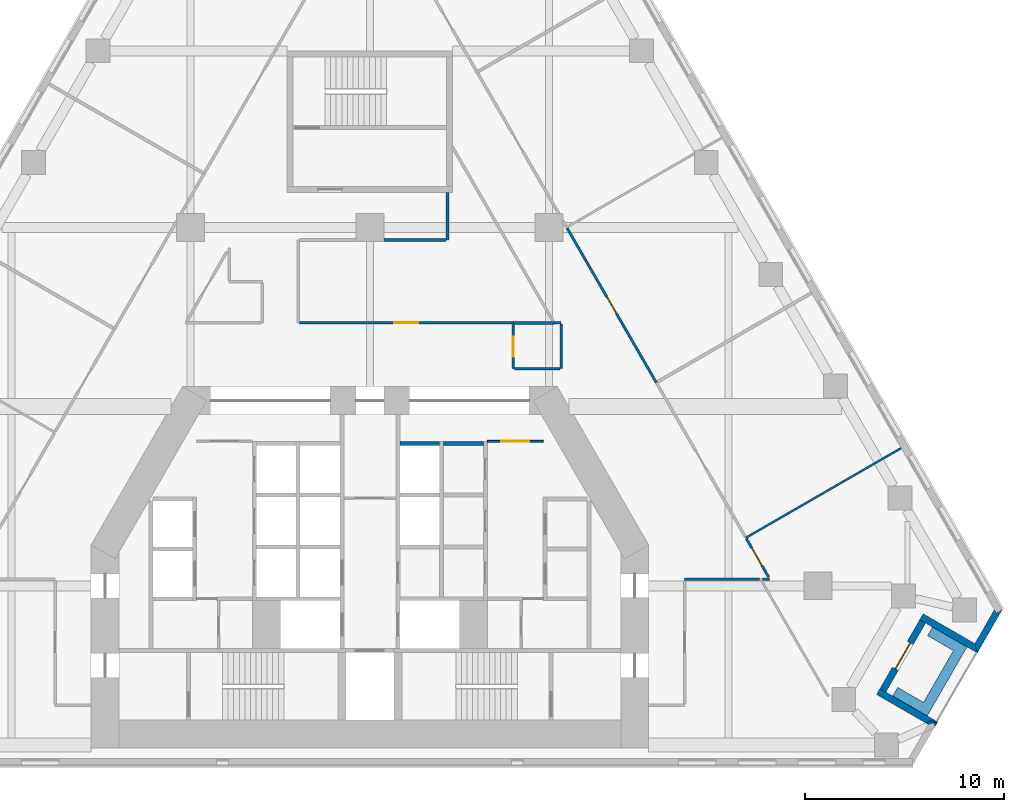
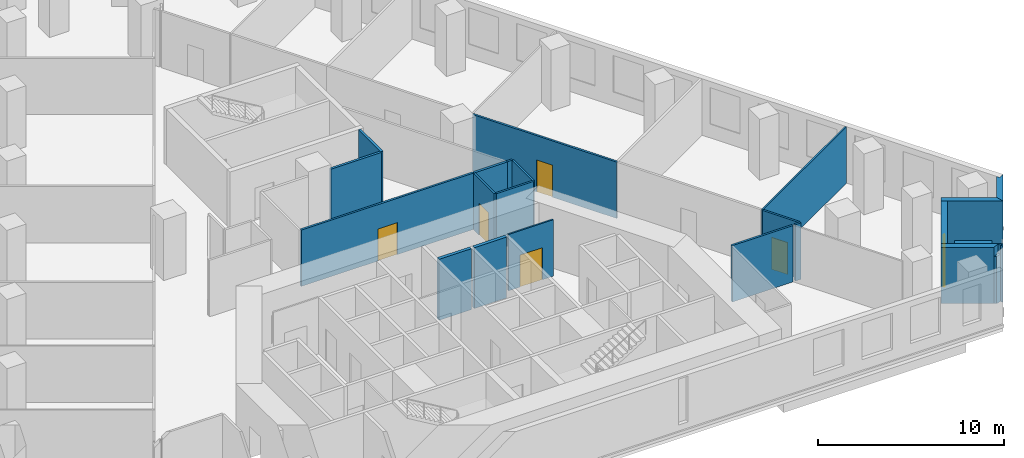
# One storey, part 7 of 11: 23 walls, 6 doors, 6 openings.
"""IFC4 building model written with IfcOpenShell, lengths in metres."""

from ifc_helpers import new_model, si_unit, direction, frame, frame_2d, origin, place, context, subcontext, project, spatial, polyline, rectangle, outline, extrude, material, layer, layer_set, type_object, element, fill, save


model = new_model("IFC4")

# Units and contexts
model_context = context("Model", 3, precision=1e-05, world=origin(), true_north=direction((0.0, 1.0)))
body_context = subcontext(model_context, "Body", "Model", "MODEL_VIEW")
ifc_project = project(units=[si_unit("LENGTHUNIT", "METRE"), si_unit("AREAUNIT", "SQUARE_METRE"), si_unit("VOLUMEUNIT", "CUBIC_METRE"), si_unit("PLANEANGLEUNIT", "RADIAN"), si_unit("MASSUNIT", "GRAM", prefix="KILO")], contexts=[model_context])

# Site, building, storey
site_placement = place(None, origin())
site = spatial("IfcSite", under=ifc_project, at=site_placement, CompositionType="ELEMENT")
building_placement = place(site_placement, origin())
building = spatial("IfcBuilding", under=site, at=building_placement, Name="Fogline Exchange Tower", CompositionType="ELEMENT")
storey_placement = place(building_placement, frame((0.0, 0.0, 56.89990234375)))
storey = spatial("IfcBuildingStorey", under=building, at=storey_placement, Name="L11", CompositionType="ELEMENT", Elevation=56.89990234375)

# Wall, opening, door
ifc_material_1 = material(Name="Blockwork partition", Category="masonry")
ifc_layer_1 = layer(ifc_material_1, 0.10009765625)
ifc_layer_set_1 = layer_set([ifc_layer_1], Name="CW10")
wall_type_1 = type_object("IfcWallType", Name="CW10", PredefinedType="PARTITIONING", material=ifc_layer_set_1)
wall_1_placement = place(storey_placement, frame((5.89990234375, 16.25, 0.0), z_axis=(0.0, 0.0, 1.0), x_axis=(1.0, 0.0, 0.0)))
wall_1 = element("IfcWall", 1, at=wall_1_placement, inside=storey, type_object=wall_type_1, Name="Lift lobby partition", PredefinedType="PARTITIONING", context=body_context, shape_type="SweptSolid", body=[
    extrude(rectangle(XDim=2.800048828125, YDim=0.10009765625, at=frame_2d((1.39990234375, 0.0))), origin(), (0.0, 0.0, 1.0), 3.7001953125),
])
opening_1_placement = place(wall_1_placement, frame((0.699951171875, 0.0, 0.0)))
opening_1 = element("IfcOpeningElement", 2, at=opening_1_placement, cuts=wall_1, Name="Opening T03-C013", PredefinedType="OPENING", context=body_context, shape_type="SweptSolid", body=[
    extrude(rectangle(XDim=1.39990234375, YDim=2.10009765625, at=frame_2d((0.699951171875, 1.050048828125))), frame((0.0, 0.06005859375, 0.0), z_axis=(0.0, -1.0, 0.0), x_axis=(1.0, 0.0, 0.0)), (0.0, 0.0, 1.0), 0.1201171875),
])
ifc_material_2 = material(Name="Steel and timber fire door", Category="steel")
door_type_1 = type_object("IfcDoorType", Name="D-LB1", OperationType="DOUBLE_DOOR_SINGLE_SWING", PredefinedType="DOOR", material=ifc_material_2)
door_1_placement = place(opening_1_placement, origin())
door_1 = element("IfcDoor", 3, at=door_1_placement, inside=storey, type_object=door_type_1, Name="Door to lift lobby", OperationType="DOUBLE_DOOR_SINGLE_SWING", OverallHeight=2.10009765625, OverallWidth=1.39990234375, PredefinedType="DOOR", context=body_context, shape_type="SweptSolid", body=[
    extrude(rectangle(XDim=1.39990234375, YDim=2.10009765625, at=frame_2d((0.699951171875, 1.050048828125))), frame((0.0, 0.02490234375, 0.0), z_axis=(0.0, -1.0, 0.0), x_axis=(1.0, 0.0, 0.0)), (0.0, 0.0, 1.0), 0.050048828125),
])
fill(opening_1, door_1)

# Walls
ifc_material_3 = material(Name="Concrete C40", Category="concrete")
ifc_layer_2 = layer(ifc_material_3, 0.199951171875)
ifc_layer_set_2 = layer_set([ifc_layer_2], Name="CW20S")
wall_type_2 = type_object("IfcWallType", Name="CW20S", PredefinedType="SOLIDWALL", material=ifc_layer_set_2)
for number, where, z_axis, x_axis, name in (
    (4, (3.699951171875, 16.14990234375, -0.2998046875), (0.0, 0.0, 1.0), (1.0, 0.0, 0.0), "Lift shaft wall"),
    (5, (1.5, 16.14990234375, -0.2998046875), (0.0, 0.0, 1.0), (1.0, 0.0, 0.0), "Lift shaft wall"),
):
    element("IfcWall", number, at=place(storey_placement, frame(where, z_axis=z_axis, x_axis=x_axis)), inside=storey, type_object=wall_type_2, Name=name, PredefinedType="SOLIDWALL", context=body_context, shape_type="SweptSolid", body=[
        extrude(rectangle(XDim=2.0, YDim=0.199951171875, at=frame_2d((1.0, 0.0))), origin(), (0.0, 0.0, 1.0), 4.0),
    ])
ifc_material_4 = material(Name="Brick masonry", Category="masonry")
ifc_layer_3 = layer(ifc_material_4, 0.340087890625)
ifc_layer_set_3 = layer_set([ifc_layer_3], Name="FW1")
wall_type_3 = type_object("IfcWallType", Name="FW1", PredefinedType="SOLIDWALL", material=ifc_layer_set_3)
wall_2_placement = place(storey_placement, origin())
element("IfcWall", 6, at=wall_2_placement, inside=storey, type_object=wall_type_3, Name="Brick wall L11 SE-c1", PredefinedType="SOLIDWALL", context=body_context, shape_type="SweptSolid", body=[
    extrude(outline(polyline([(28.388916015625, 1.962646484375), (28.319580078125, 2.115966796875), (28.506103515625, 2.166015625), (28.50634765625, 2.165771484375), (28.388916015625, 1.962646484375)])), origin(), (0.0, 0.0, 1.0), 3.7001953125),
])
wall_3_placement = place(storey_placement, origin())
element("IfcWall", 7, at=wall_3_placement, inside=storey, type_object=wall_type_3, Name="Brick wall L11 SE-s1", PredefinedType="SOLIDWALL", context=body_context, shape_type="SweptSolid", body=[
    extrude(outline(polyline([(28.040771484375, 2.0400390625), (27.91015625, 2.115478515625), (28.25, 2.269287109375), (28.320068359375, 2.11474609375), (28.040771484375, 2.0400390625)])), origin(), (0.0, 0.0, 1.0), 3.10009765625),
])
wall_4_placement = place(storey_placement, origin())
element("IfcWall", 8, at=wall_4_placement, inside=storey, type_object=wall_type_3, Name="Brick wall L11 SE-s1", PredefinedType="SOLIDWALL", context=body_context, shape_type="SweptSolid", body=[
    extrude(outline(polyline([(25.612548828125, 3.8359375), (25.907470703125, 3.66552734375), (28.50634765625, 2.1650390625), (28.50634765625, 2.164794921875), (28.320068359375, 2.11474609375), (28.25, 2.269287109375), (27.91015625, 2.115478515625), (25.44189453125, 3.540283203125), (25.612548828125, 3.8359375)])), origin(), (0.0, 0.0, 1.0), 3.7001953125),
])

# Wall, opening, door
wall_5_placement = place(storey_placement, frame((25.760009765625, 3.75, 0.0), z_axis=(0.0, 0.0, 1.0), x_axis=(0.49999894854, 0.866026010844, 0.0)))
wall_5 = element("IfcWall", 9, at=wall_5_placement, inside=storey, type_object=wall_type_3, Name="Brick wall L11 SE-bk", PredefinedType="SOLIDWALL", context=body_context, shape_type="SweptSolid", body=[
    extrude(rectangle(XDim=4.0, YDim=0.340087890625, at=frame_2d((2.0, 0.0))), origin(), (0.0, 0.0, 1.0), 3.7001953125),
])
opening_2_placement = place(wall_5_placement, frame((1.25, 0.0, 0.0)))
opening_2 = element("IfcOpeningElement", 10, at=opening_2_placement, cuts=wall_5, Name="Opening T03-E081", PredefinedType="OPENING", context=body_context, shape_type="SweptSolid", body=[
    extrude(rectangle(XDim=1.5, YDim=2.39990234375, at=frame_2d((0.75, 1.199951171875))), frame((0.0, 0.18017578125, 0.0), z_axis=(0.0, -1.0, 0.0), x_axis=(1.0, 0.0, 0.0)), (0.0, 0.0, 1.0), 0.360107421875),
])
ifc_material_5 = material(Name="Aluminium and glass", Category="aluminium")
door_type_2 = type_object("IfcDoorType", Name="ED4", OperationType="SINGLE_SWING_LEFT", PredefinedType="DOOR", material=ifc_material_5)
door_2_placement = place(opening_2_placement, frame((1.5, 0.0, 0.0), z_axis=(0.0, 0.0, 1.0), x_axis=(-1.0, 0.0, 0.0)))
door_2 = element("IfcDoor", 11, at=door_2_placement, inside=storey, type_object=door_type_2, Name="Balcony door L11 SE", OperationType="DOUBLE_DOOR_SINGLE_SWING", OverallHeight=2.39990234375, OverallWidth=1.5, PredefinedType="DOOR", context=body_context, shape_type="SweptSolid", body=[
    extrude(rectangle(XDim=1.5, YDim=2.39990234375, at=frame_2d((0.75, 1.199951171875))), frame((0.0, 0.02490234375, 0.0), z_axis=(0.0, -1.0, 0.0), x_axis=(1.0, 0.0, 0.0)), (0.0, 0.0, 1.0), 0.050048828125),
])
fill(opening_2, door_2)

# Walls
wall_6_placement = place(storey_placement, origin())
element("IfcWall", 12, at=wall_6_placement, inside=storey, type_object=wall_type_3, Name="Brick wall L11 SE-s2", PredefinedType="SOLIDWALL", context=body_context, shape_type="SweptSolid", body=[
    extrude(outline(polyline([(30.505859375, 5.628173828125), (27.90673828125, 7.128662109375), (27.61181640625, 7.298828125), (27.782470703125, 7.594482421875), (30.38134765625, 6.093994140625), (30.506103515625, 5.62841796875), (30.505859375, 5.628173828125)])), origin(), (0.0, 0.0, 1.0), 3.7001953125),
])
wall_7_placement = place(storey_placement, origin())
element("IfcWall", 13, at=wall_7_placement, inside=storey, type_object=wall_type_3, Name="Brick wall L11 SE-c2", PredefinedType="SOLIDWALL", context=body_context, shape_type="SweptSolid", body=[
    extrude(outline(polyline([(31.362548828125, 7.79541015625), (31.4609375, 7.625), (31.755859375, 7.79541015625), (31.75634765625, 7.794921875), (30.505126953125, 5.6279296875), (30.5048828125, 5.6279296875), (30.380126953125, 6.09375), (31.362548828125, 7.79541015625)])), origin(), (0.0, 0.0, 1.0), 3.7001953125),
])
ifc_material_6 = material(Name="Concrete C30", Category="concrete")
ifc_layer_4 = layer(ifc_material_6, 0.199951171875)
ifc_layer_set_4 = layer_set([ifc_layer_4], Name="PL1")
wall_type_4 = type_object("IfcWallType", Name="PL1", PredefinedType="USERDEFINED", material=ifc_layer_set_4)
wall_8_placement = place(storey_placement, origin())
element("IfcWall", 14, at=wall_8_placement, inside=storey, type_object=wall_type_4, Name="PLANTER balcony L11 SE", ObjectType="PLANTER", PredefinedType="USERDEFINED", context=body_context, shape_type="SweptSolid", body=[
    extrude(outline(polyline([(26.253662109375, 3.465087890625), (27.552490234375, 2.715087890625), (27.552490234375, 2.715087890625), (27.985595703125, 2.465087890625), (29.735595703125, 5.49609375), (29.985595703125, 5.92919921875), (28.253662109375, 6.92919921875), (28.003662109375, 6.49609375), (29.302490234375, 5.74609375), (27.802490234375, 3.148193359375), (26.503662109375, 3.898193359375), (26.253662109375, 3.465087890625)])), origin(), (0.0, 0.0, 1.0), 1.10009765625),
])
ifc_material_7 = material(Name="Plasterboard partition, 2 layers each side on steel studs", Category="steel")
ifc_layer_5 = layer(ifc_material_7, 0.10009765625)
ifc_layer_set_5 = layer_set([ifc_layer_5], Name="PW1")
wall_type_5 = type_object("IfcWallType", Name="PW1", PredefinedType="PARTITIONING", material=ifc_layer_set_5)
wall_9_placement = place(storey_placement, frame((18.881591796875, 11.412109375, 0.0), z_axis=(0.0, 0.0, 1.0), x_axis=(0.866024315419, 0.5000018851, 0.0)))
element("IfcWall", 15, at=wall_9_placement, inside=storey, type_object=wall_type_5, Name="wall-L11-W056", PredefinedType="PARTITIONING", context=body_context, shape_type="SweptSolid", body=[
    extrude(rectangle(XDim=9.0, YDim=0.10009765625, at=frame_2d((4.5, 0.0))), origin(), (0.0, 0.0, 1.0), 3.7001953125),
])

# Wall, opening, door
ifc_material_8 = material(Name="Plasterboard corridor partition with mineral wool, 2 layers each side")
ifc_layer_6 = layer(ifc_material_8, 0.125)
ifc_layer_set_6 = layer_set([ifc_layer_6], Name="PW2")
wall_type_6 = type_object("IfcWallType", Name="PW2", PredefinedType="PARTITIONING", material=ifc_layer_set_6)
wall_10_placement = place(storey_placement, frame((7.199951171875, 22.12451171875, 0.0), z_axis=(0.0, 0.0, 1.0), x_axis=(0.0, -1.0, 0.0)))
wall_10 = element("IfcWall", 16, at=wall_10_placement, inside=storey, type_object=wall_type_6, Name="wall-L11-W003", PredefinedType="PARTITIONING", context=body_context, shape_type="SweptSolid", body=[
    extrude(rectangle(XDim=2.224609375, YDim=0.125, at=frame_2d((1.1123046875, 0.0))), origin(), (0.0, 0.0, 1.0), 3.7001953125),
])
opening_3_placement = place(wall_10_placement, frame((0.6123046875, 0.0, 0.0)))
opening_3 = element("IfcOpeningElement", 17, at=opening_3_placement, cuts=wall_10, Name="Opening T03-D002", PredefinedType="OPENING", context=body_context, shape_type="SweptSolid", body=[
    extrude(rectangle(XDim=1.0, YDim=2.10009765625, at=frame_2d((0.5, 1.050048828125))), frame((0.0, 0.072509765625, 0.0), z_axis=(0.0, -1.0, 0.0), x_axis=(1.0, 0.0, 0.0)), (0.0, 0.0, 1.0), 0.14501953125),
])
ifc_material_9 = material(Name="Fire-rated timber door leaf with steel frame", Category="steel")
door_type_3 = type_object("IfcDoorType", Name="D3", OperationType="SINGLE_SWING_LEFT", PredefinedType="DOOR", material=ifc_material_9)
door_3_placement = place(opening_3_placement, origin())
door_3 = element("IfcDoor", 18, at=door_3_placement, inside=storey, type_object=door_type_3, Name="door-L11-D002", OperationType="SINGLE_SWING_RIGHT", OverallHeight=2.10009765625, OverallWidth=1.0, PredefinedType="DOOR", context=body_context, shape_type="SweptSolid", body=[
    extrude(rectangle(XDim=1.0, YDim=2.10009765625, at=frame_2d((0.5, 1.050048828125))), frame((0.0, 0.02490234375, 0.0), z_axis=(0.0, -1.0, 0.0), x_axis=(1.0, 0.0, 0.0)), (0.0, 0.0, 1.0), 0.050048828125),
])
fill(opening_3, door_3)

# Walls
wall_11_placement = place(storey_placement, frame((7.262451171875, 19.89990234375, 0.0), z_axis=(0.0, 0.0, 1.0), x_axis=(1.0, 0.0, 0.0)))
element("IfcWall", 19, at=wall_11_placement, inside=storey, type_object=wall_type_6, Name="wall-L11-W004", PredefinedType="PARTITIONING", context=body_context, shape_type="SweptSolid", body=[
    extrude(rectangle(XDim=2.275146484375, YDim=0.125, at=frame_2d((1.1376953125, 0.0))), origin(), (0.0, 0.0, 1.0), 3.7001953125),
])
wall_12_placement = place(storey_placement, frame((9.60009765625, 19.89990234375, 0.0), z_axis=(0.0, 0.0, 1.0), x_axis=(0.0, 1.0, 0.0)))
element("IfcWall", 20, at=wall_12_placement, inside=storey, type_object=wall_type_6, Name="wall-L11-W005", PredefinedType="PARTITIONING", context=body_context, shape_type="SweptSolid", body=[
    extrude(rectangle(XDim=2.237548828125, YDim=0.125, at=frame_2d((1.11865234375, 0.0))), origin(), (0.0, 0.0, 1.0), 3.7001953125),
])

# Wall, opening, door
wall_13_placement = place(storey_placement, frame((-3.53759765625, 22.199951171875, 0.0), z_axis=(0.0, 0.0, 1.0), x_axis=(1.0, 0.0, 0.0)))
wall_13 = element("IfcWall", 21, at=wall_13_placement, inside=storey, type_object=wall_type_6, Name="wall-L11-W006", PredefinedType="PARTITIONING", context=body_context, shape_type="SweptSolid", body=[
    extrude(rectangle(XDim=10.737548828125, YDim=0.125, at=frame_2d((5.36865234375, 0.0))), origin(), (0.0, 0.0, 1.0), 3.7001953125),
])
opening_4_placement = place(wall_13_placement, frame((4.768798828125, 0.0, 0.0)))
opening_4 = element("IfcOpeningElement", 22, at=opening_4_placement, cuts=wall_13, Name="Opening T03-D003", PredefinedType="OPENING", context=body_context, shape_type="SweptSolid", body=[
    extrude(rectangle(XDim=1.199951171875, YDim=2.10009765625, at=frame_2d((0.60009765625, 1.050048828125))), frame((0.0, 0.072509765625, 0.0), z_axis=(0.0, -1.0, 0.0), x_axis=(1.0, 0.0, 0.0)), (0.0, 0.0, 1.0), 0.14501953125),
])
ifc_material_10 = material(Name="Fire-rated glazed door leaf with steel frame", Category="steel")
door_type_4 = type_object("IfcDoorType", Name="D5", OperationType="SINGLE_SWING_LEFT", PredefinedType="DOOR", material=ifc_material_10)
door_4_placement = place(opening_4_placement, origin())
door_4 = element("IfcDoor", 23, at=door_4_placement, inside=storey, type_object=door_type_4, Name="door-L11-D003", OperationType="SINGLE_SWING_RIGHT", OverallHeight=2.10009765625, OverallWidth=1.199951171875, PredefinedType="DOOR", context=body_context, shape_type="SweptSolid", body=[
    extrude(rectangle(XDim=1.199951171875, YDim=2.10009765625, at=frame_2d((0.60009765625, 1.050048828125))), frame((0.0, 0.02490234375, 0.0), z_axis=(0.0, -1.0, 0.0), x_axis=(1.0, 0.0, 0.0)), (0.0, 0.0, 1.0), 0.050048828125),
])
fill(opening_4, door_4)

# Wall
wall_14_placement = place(storey_placement, frame((9.60009765625, 22.199951171875, 0.0), z_axis=(0.0, 0.0, 1.0), x_axis=(-1.0, 0.0, 0.0)))
element("IfcWall", 24, at=wall_14_placement, inside=storey, type_object=wall_type_6, Name="wall-L11-W010", PredefinedType="PARTITIONING", context=body_context, shape_type="SweptSolid", body=[
    extrude(rectangle(XDim=0.353271484375, YDim=0.125, at=frame_2d((0.1767578125, 0.0))), origin(), (0.0, 0.0, 1.0), 3.7001953125),
])

# Wall, opening, door
wall_15_placement = place(storey_placement, frame((9.90673828125, 26.956787109375, 0.0), z_axis=(0.0, 0.0, 1.0), x_axis=(0.500008968592, -0.866020225704, 0.0)))
wall_15 = element("IfcWall", 25, at=wall_15_placement, inside=storey, type_object=wall_type_6, Name="wall-L11-W011", PredefinedType="PARTITIONING", context=body_context, shape_type="SweptSolid", body=[
    extrude(rectangle(XDim=8.949462890625, YDim=0.125, at=frame_2d((4.474609375, 0.0))), origin(), (0.0, 0.0, 1.0), 3.7001953125),
])
opening_5_placement = place(wall_15_placement, frame((3.974609375, 0.0, 0.0)))
opening_5 = element("IfcOpeningElement", 26, at=opening_5_placement, cuts=wall_15, Name="Opening T03-D005", PredefinedType="OPENING", context=body_context, shape_type="SweptSolid", body=[
    extrude(rectangle(XDim=1.0, YDim=2.10009765625, at=frame_2d((0.5, 1.050048828125))), frame((0.0, 0.072509765625, 0.0), z_axis=(0.0, -1.0, 0.0), x_axis=(1.0, 0.0, 0.0)), (0.0, 0.0, 1.0), 0.14501953125),
])
door_5_placement = place(opening_5_placement, origin())
door_5 = element("IfcDoor", 27, at=door_5_placement, inside=storey, type_object=door_type_3, Name="door-L11-D005", OperationType="SINGLE_SWING_LEFT", OverallHeight=2.10009765625, OverallWidth=1.0, PredefinedType="DOOR", context=body_context, shape_type="SweptSolid", body=[
    extrude(rectangle(XDim=1.0, YDim=2.10009765625, at=frame_2d((0.5, 1.050048828125))), frame((0.0, 0.02490234375, 0.0), z_axis=(0.0, -1.0, 0.0), x_axis=(1.0, 0.0, 0.0)), (0.0, 0.0, 1.0), 0.050048828125),
])
fill(opening_5, door_5)

# Wall
wall_16_placement = place(storey_placement, frame((19.572265625, 9.340087890625, 0.0), z_axis=(0.0, 0.0, 1.0), x_axis=(-1.0, 0.0, 0.0)))
element("IfcWall", 28, at=wall_16_placement, inside=storey, type_object=wall_type_6, Name="wall-L11-W028", PredefinedType="PARTITIONING", context=body_context, shape_type="SweptSolid", body=[
    extrude(rectangle(XDim=3.772216796875, YDim=0.125, at=frame_2d((1.88623046875, 0.0))), origin(), (0.0, 0.0, 1.0), 3.7001953125),
])

# Wall, opening, door
wall_17_placement = place(storey_placement, frame((18.90673828125, 11.368408203125, 0.0), z_axis=(0.0, 0.0, 1.0), x_axis=(0.4999716195, -0.866041788654, 0.0)))
wall_17 = element("IfcWall", 29, at=wall_17_placement, inside=storey, type_object=wall_type_6, Name="wall-L11-W029", PredefinedType="PARTITIONING", context=body_context, shape_type="SweptSolid", body=[
    extrude(rectangle(XDim=2.233642578125, YDim=0.125, at=frame_2d((1.11669921875, 0.0))), origin(), (0.0, 0.0, 1.0), 3.7001953125),
])
opening_6_placement = place(wall_17_placement, frame((0.550048828125, 0.0, 0.0)))
opening_6 = element("IfcOpeningElement", 30, at=opening_6_placement, cuts=wall_17, Name="Opening T03-D016", PredefinedType="OPENING", context=body_context, shape_type="SweptSolid", body=[
    extrude(rectangle(XDim=1.0, YDim=2.10009765625, at=frame_2d((0.5, 1.050048828125))), frame((0.0, 0.072509765625, 0.0), z_axis=(0.0, -1.0, 0.0), x_axis=(1.0, 0.0, 0.0)), (0.0, 0.0, 1.0), 0.14501953125),
])
door_6_placement = place(opening_6_placement, origin())
door_6 = element("IfcDoor", 31, at=door_6_placement, inside=storey, type_object=door_type_3, Name="door-L11-D016", OperationType="SINGLE_SWING_LEFT", OverallHeight=2.10009765625, OverallWidth=1.0, PredefinedType="DOOR", context=body_context, shape_type="SweptSolid", body=[
    extrude(rectangle(XDim=1.0, YDim=2.10009765625, at=frame_2d((0.5, 1.050048828125))), frame((0.0, 0.02490234375, 0.0), z_axis=(0.0, -1.0, 0.0), x_axis=(1.0, 0.0, 0.0)), (0.0, 0.0, 1.0), 0.050048828125),
])
fill(opening_6, door_6)

# Walls
wall_18_placement = place(storey_placement, frame((20.077880859375, 9.340087890625, 0.0), z_axis=(0.0, 0.0, 1.0), x_axis=(-1.0, 0.0, 0.0)))
element("IfcWall", 32, at=wall_18_placement, inside=storey, type_object=wall_type_6, Name="wall-L11-W030", PredefinedType="PARTITIONING", context=body_context, shape_type="SweptSolid", body=[
    extrude(rectangle(XDim=0.36767578125, YDim=0.125, at=frame_2d((0.183837890625, 0.0))), origin(), (0.0, 0.0, 1.0), 3.7001953125),
])
ifc_material_11 = material(Name="Plasterboard demising partition with mineral wool and acoustic board")
ifc_layer_7 = layer(ifc_material_11, 0.14990234375)
ifc_layer_set_7 = layer_set([ifc_layer_7], Name="PW3")
wall_type_7 = type_object("IfcWallType", Name="PW3", PredefinedType="PARTITIONING", material=ifc_layer_set_7)
wall_19_placement = place(storey_placement, frame((7.199951171875, 22.199951171875, 0.0), z_axis=(0.0, 0.0, 1.0), x_axis=(1.0, 0.0, 0.0)))
element("IfcWall", 33, at=wall_19_placement, inside=storey, type_object=wall_type_7, Name="wall-L11-W039", PredefinedType="PARTITIONING", context=body_context, shape_type="SweptSolid", body=[
    extrude(rectangle(XDim=2.046875, YDim=0.14990234375, at=frame_2d((1.0234375, 0.0))), origin(), (0.0, 0.0, 1.0), 3.7001953125),
])
ifc_material_12 = material(Name="Plasterboard stair lobby partition, 3 layers each side on steel studs", Category="steel")
ifc_layer_8 = layer(ifc_material_12, 0.14990234375)
ifc_layer_set_8 = layer_set([ifc_layer_8], Name="PW4")
wall_type_8 = type_object("IfcWallType", Name="PW4", PredefinedType="PARTITIONING", material=ifc_layer_set_8)
wall_20_placement = place(storey_placement, frame((3.89990234375, 28.757080078125, 0.0), z_axis=(0.0, 0.0, 1.0), x_axis=(0.0, -1.0, 0.0)))
element("IfcWall", 34, at=wall_20_placement, inside=storey, type_object=wall_type_8, Name="wall-L11-W032", PredefinedType="PARTITIONING", context=body_context, shape_type="SweptSolid", body=[
    extrude(rectangle(XDim=2.400146484375, YDim=0.14990234375, at=frame_2d((1.2001953125, 0.0))), origin(), (0.0, 0.0, 1.0), 3.7001953125),
])
wall_21_placement = place(storey_placement, frame((3.824951171875, 26.35693359375, 0.0), z_axis=(0.0, 0.0, 1.0), x_axis=(-1.0, 0.0, 0.0)))
element("IfcWall", 35, at=wall_21_placement, inside=storey, type_object=wall_type_8, Name="wall-L11-W033", PredefinedType="PARTITIONING", context=body_context, shape_type="SweptSolid", body=[
    extrude(rectangle(XDim=3.125, YDim=0.14990234375, at=frame_2d((1.5625, 0.0))), origin(), (0.0, 0.0, 1.0), 3.7001953125),
])

save(model, "model.ifc")
